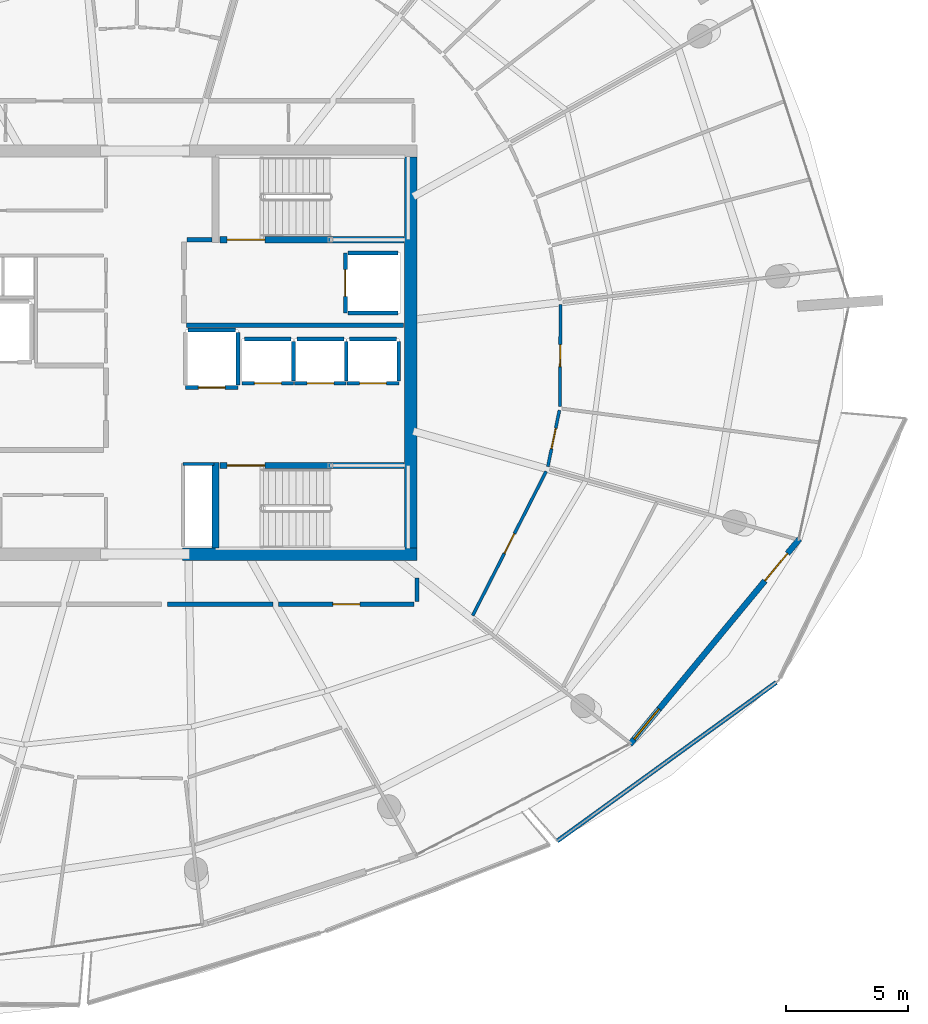
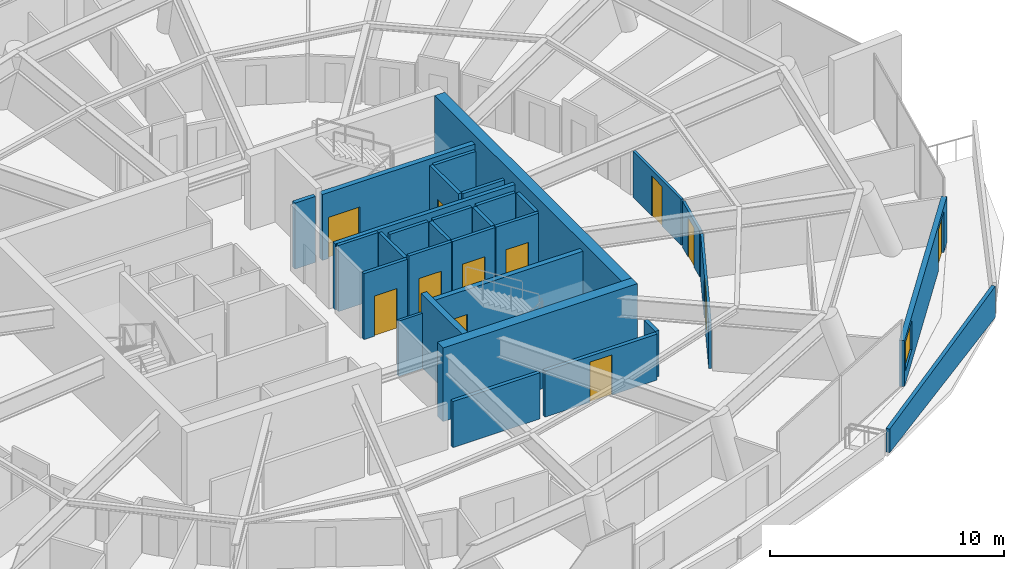
# One storey, part 18 of 27: 31 walls, 12 doors, 1 window, 13 openings.
"""IFC4 building model written with IfcOpenShell, lengths in metres."""

import ifcopenshell
import ifcopenshell.guid

model = None  # the IFC model being written
_history = None  # IfcOwnerHistory: only IFC2X3 demands one
_inside = {}  # id of a spatial element -> (the spatial element, [elements in it])
_under = {}  # id of a project, library or spatial element -> (it, [spatial elements below it])
_declared = {}  # id of a project -> (the project, [libraries it declares])
_typed = {}  # id of a type object -> (the type object, [elements of that type])
_made_of = {}  # id of a material, layer set ... -> (it, [elements and type objects made of it])


def new_model(schema):
    """Start an empty IFC model of exactly this schema.

    Asked for "IFC4X3", IfcOpenShell would pick the latest addendum, in which some entities
    have other attributes; the version numbers below select the first issue.
    IFC2X3 requires an IfcOwnerHistory on every rooted entity: one is made here for all.
    """
    global model, _history
    if schema == "IFC4X3":
        model = ifcopenshell.file(schema_version=(4, 3, 0, 0))
    else:
        model = ifcopenshell.file(schema=schema)
    _inside.clear()
    _under.clear()
    _declared.clear()
    _typed.clear()
    _made_of.clear()
    _history = None
    if model.schema == "IFC2X3":
        org = make("IfcOrganization", Name="unknown")
        user = make(
            "IfcPersonAndOrganization",
            ThePerson=make("IfcPerson", FamilyName="unknown"),
            TheOrganization=org,
        )
        app = make(
            "IfcApplication",
            ApplicationDeveloper=org,
            Version="unknown",
            ApplicationFullName="unknown",
            ApplicationIdentifier="unknown",
        )
        _history = make(
            "IfcOwnerHistory",
            OwningUser=user,
            OwningApplication=app,
            ChangeAction="ADDED",
            CreationDate=0,
        )
    return model


def make(cls, **values):
    """One entity of the class cls with the attributes given. An attribute that is None is left unset."""
    return model.create_entity(
        cls, **{name: value for name, value in values.items() if value is not None}
    )


def rooted(cls, **values):
    """An entity with a GlobalId (a new one), such as an element, a storey or a relation."""
    return make(cls, GlobalId=ifcopenshell.guid.new(), OwnerHistory=_history, **values)


def si_unit(unit_type, name, prefix=None):
    """IfcSIUnit, for example si_unit("LENGTHUNIT", "METRE", prefix="MILLI")."""
    return make("IfcSIUnit", UnitType=unit_type, Prefix=prefix, Name=name)


def assignment(units):
    """IfcUnitAssignment: the units of a project."""
    return None if units is None else make("IfcUnitAssignment", Units=units)


def point(xyz):
    """IfcCartesianPoint."""
    return None if xyz is None else make("IfcCartesianPoint", Coordinates=xyz)


def direction(xyz):
    """IfcDirection."""
    return None if xyz is None else make("IfcDirection", DirectionRatios=xyz)


def frame(location, z_axis=None, x_axis=None):
    """IfcAxis2Placement3D, a coordinate frame: its origin and axes. An axis left out is left unset."""
    return make(
        "IfcAxis2Placement3D",
        Location=point(location),
        Axis=direction(z_axis),
        RefDirection=direction(x_axis),
    )


def frame_2d(location, x_axis=None):
    """IfcAxis2Placement2D, a coordinate frame in the plane: its origin and x axis."""
    return make(
        "IfcAxis2Placement2D", Location=point(location), RefDirection=direction(x_axis)
    )


def origin():
    """The frame at (0, 0, 0) with its axes left unset."""
    return frame((0.0, 0.0, 0.0))


def place(relative_to, where):
    """IfcLocalPlacement: puts the frame where relative to a parent placement (None: the world)."""
    return make(
        "IfcLocalPlacement", PlacementRelTo=relative_to, RelativePlacement=where
    )


def context(
    kind, dimensions, precision=None, world=None, true_north=None, identifier=None
):
    """IfcGeometricRepresentationContext, for example the 3D "Model" context."""
    return make(
        "IfcGeometricRepresentationContext",
        ContextIdentifier=identifier,
        ContextType=kind,
        CoordinateSpaceDimension=dimensions,
        Precision=precision,
        WorldCoordinateSystem=world,
        TrueNorth=true_north,
    )


def subcontext(parent, identifier, kind, view, scale=None):
    """IfcGeometricRepresentationSubContext, for example "Body" below "Model"."""
    return make(
        "IfcGeometricRepresentationSubContext",
        ContextIdentifier=identifier,
        ContextType=kind,
        ParentContext=parent,
        TargetScale=scale,
        TargetView=view,
    )


def project(units=None, contexts=None):
    """IfcProject with its units and contexts."""
    return rooted(
        "IfcProject",
        Name="project",
        RepresentationContexts=contexts,
        UnitsInContext=assignment(units),
    )


def spatial(cls, under=None, at=None, **own):
    """A site, building, storey or space (cls), placed at a placement, below another one or the project."""
    s = rooted(cls, ObjectPlacement=at, **own)
    if under is not None:
        _under.setdefault(under.id(), (under, []))[1].append(s)
    return s


def polyline(points):
    """IfcPolyline through the points."""
    return make("IfcPolyline", Points=[point(p) for p in points])


def profile(cls, at=None, kind="AREA", **sizes):
    """A parametric profile (cls). Its sizes go by their IFC names, for example OverallWidth=200.0."""
    return make(cls, ProfileType=kind, Position=at, **sizes)


def rectangle(**sizes):
    """IfcRectangleProfileDef."""
    return profile("IfcRectangleProfileDef", **sizes)


def outline(outer, holes=None, kind="AREA"):
    """IfcArbitraryClosedProfileDef: a profile drawn as a closed curve; with holes, ...WithVoids."""
    if holes is None:
        return make("IfcArbitraryClosedProfileDef", ProfileType=kind, OuterCurve=outer)
    return make(
        "IfcArbitraryProfileDefWithVoids",
        ProfileType=kind,
        OuterCurve=outer,
        InnerCurves=holes,
    )


def extrude(swept, where, along, depth):
    """IfcExtrudedAreaSolid: the profile swept, set in the frame where, extruded along a direction by depth."""
    return make(
        "IfcExtrudedAreaSolid",
        SweptArea=swept,
        Position=where,
        ExtrudedDirection=direction(along),
        Depth=depth,
    )


def shape(context_of_items, identifier, shape_type, items):
    """IfcShapeRepresentation: the items that make up one representation, for example the "Body"."""
    return make(
        "IfcShapeRepresentation",
        ContextOfItems=context_of_items,
        RepresentationIdentifier=identifier,
        RepresentationType=shape_type,
        Items=items,
    )


def material(Name=None, Category=None):
    """IfcMaterial."""
    return make("IfcMaterial", Name=Name, Category=Category)


def layer(
    of_material, thickness, ventilated=None, Name=None, Category=None, Priority=None
):
    """IfcMaterialLayer: one layer of a wall or slab, of a material (None: an air gap)."""
    return make(
        "IfcMaterialLayer",
        Material=of_material,
        LayerThickness=thickness,
        IsVentilated=ventilated,
        Name=Name,
        Category=Category,
        Priority=Priority,
    )


def layer_set(layers, Name=None):
    """IfcMaterialLayerSet."""
    return make("IfcMaterialLayerSet", MaterialLayers=layers, LayerSetName=Name)


def made_of(thing, what):
    """Note that an element or type object is made of a material, layer set ...; save() writes the relation."""
    if what is not None:
        _made_of.setdefault(what.id(), (what, []))[1].append(thing)
    return thing


def type_object(cls, material=None, **own):
    """A type object (cls), such as IfcWallType, which elements share."""
    return made_of(rooted(cls, **own), material)


def element(
    cls,
    number,
    at=None,
    inside=None,
    cuts=None,
    type_object=None,
    material=None,
    context=None,
    identifier="Body",
    shape_type=None,
    held_by="IfcProductDefinitionShape",
    body=None,
    shapes=None,
    **own,
):
    """One element of the class cls, such as IfcWall. Its Tag is "e" and its number.

    at: its placement. inside: the storey or other place that contains it. cuts: it is an
    opening in that element (IfcRelVoidsElement). A single representation is given by context,
    identifier, shape_type and body (its items); several are given by shapes. held_by: the class
    of the entity that holds the representations. save() writes the other relations.
    """
    e = rooted(cls, Tag="e%d" % number, ObjectPlacement=at, **own)
    if body is not None:
        shapes = [shape(context, identifier, shape_type, body)]
    if shapes is not None:
        e.Representation = make(held_by, Representations=shapes)
    if inside is not None:
        _inside.setdefault(inside.id(), (inside, []))[1].append(e)
    if cuts is not None:
        rooted(
            "IfcRelVoidsElement", RelatingBuildingElement=cuts, RelatedOpeningElement=e
        )
    if type_object is not None:
        _typed.setdefault(type_object.id(), (type_object, []))[1].append(e)
    return made_of(e, material)


def fill(opening, filler):
    """IfcRelFillsElement: the door or window that sits in an opening."""
    return rooted(
        "IfcRelFillsElement",
        RelatingOpeningElement=opening,
        RelatedBuildingElement=filler,
    )


def aggregate(whole, parts):
    """IfcRelAggregates: a whole, such as a stair, and the parts it consists of."""
    return rooted("IfcRelAggregates", RelatingObject=whole, RelatedObjects=parts)


def save(model, path):
    """Write the relations noted so far, then the file.

    IfcRelAggregates (storeys below a building ...), IfcRelContainedInSpatialStructure (elements
    in a storey), IfcRelDefinesByType, IfcRelAssociatesMaterial and IfcRelDeclares: one each for
    every whole, place, type object, material and project.
    """
    for whole, parts in _under.values():
        aggregate(whole, parts)
    for where, things in _inside.values():
        rooted(
            "IfcRelContainedInSpatialStructure",
            RelatedElements=things,
            RelatingStructure=where,
        )
    for kind, things in _typed.values():
        rooted("IfcRelDefinesByType", RelatedObjects=things, RelatingType=kind)
    for what, things in _made_of.values():
        rooted("IfcRelAssociatesMaterial", RelatedObjects=things, RelatingMaterial=what)
    for by, libraries in _declared.values():
        rooted("IfcRelDeclares", RelatingContext=by, RelatedDefinitions=libraries)
    model.write(path)


model = new_model("IFC4")

# Units and contexts
model_context = context("Model", 3, precision=1e-05, world=origin(), true_north=direction((0.0, 1.0)))
body_context = subcontext(model_context, "Body", "Model", "MODEL_VIEW")
ifc_project = project(units=[si_unit("LENGTHUNIT", "METRE"), si_unit("AREAUNIT", "SQUARE_METRE"), si_unit("VOLUMEUNIT", "CUBIC_METRE"), si_unit("PLANEANGLEUNIT", "RADIAN"), si_unit("MASSUNIT", "GRAM", prefix="KILO")], contexts=[model_context])

# Site, building, storey
site_placement = place(None, origin())
site = spatial("IfcSite", under=ifc_project, at=site_placement, CompositionType="ELEMENT")
building_placement = place(site_placement, origin())
building = spatial("IfcBuilding", under=site, at=building_placement, Name="Kazma Halo Residences", CompositionType="ELEMENT")
storey_placement = place(building_placement, frame((0.0, 0.0, 306.0)))
storey = spatial("IfcBuildingStorey", under=building, at=storey_placement, Name="L77", CompositionType="ELEMENT", Elevation=306.0)

# Walls
ifc_material_1 = material(Name="White Concrete C50/60 Balustrade", Category="concrete")
ifc_layer_1 = layer(ifc_material_1, 0.179931640625)
ifc_layer_set_1 = layer_set([ifc_layer_1], Name="White Concrete C50/60 Balustrade")
wall_type_1 = type_object("IfcWallType", Name="WL-BAL-WAVE-180", PredefinedType="PARAPET", material=ifc_layer_set_1)
wall_1_placement = place(storey_placement, frame((65.286376953125, 22.0087890625, 0.0), z_axis=(0.0, 0.0, 1.0), x_axis=(0.810034567594, 0.586382127374, 0.0)))
element("IfcWall", 1, at=wall_1_placement, inside=storey, type_object=wall_type_1, Name="L77 white wave balustrade wall SE.1", PredefinedType="PARAPET", context=body_context, shape_type="SweptSolid", body=[
    extrude(outline(polyline([(0.0, 0.0), (11.0732421875, 0.0), (11.0732421875, 1.632080078125), (5.53662109375, 1.41796875), (0.0, 1.23291015625), (0.0, 0.0)])), frame((0.0, 0.08984375, 0.0), z_axis=(0.0, -1.0, 0.0), x_axis=(1.0, 0.0, 0.0)), (0.0, 0.0, 1.0), 0.179931640625),
])
ifc_material_2 = material(Name="Concrete C60/75", Category="concrete")
ifc_layer_2 = layer(ifc_material_2, 0.5)
ifc_layer_set_2 = layer_set([ifc_layer_2], Name="Concrete C60/75")
wall_type_2 = type_object("IfcWallType", Name="WL-CORE-500", PredefinedType="SHEAR", material=ifc_layer_set_2)
wall_2_placement = place(storey_placement, frame((49.949951171875, 33.75, 0.0), z_axis=(0.0, 0.0, 1.0), x_axis=(1.0, 0.0, 0.0)))
element("IfcWall", 2, at=wall_2_placement, inside=storey, type_object=wall_type_2, Name="L77 central core shear wall SE", PredefinedType="SHEAR", context=body_context, shape_type="SweptSolid", body=[
    extrude(rectangle(XDim=9.60009765625, YDim=0.5, at=frame_2d((4.800048828125, 0.0))), origin(), (0.0, 0.0, 1.0), 3.85009765625),
])
wall_3_placement = place(storey_placement, frame((59.300048828125, 34.0, 0.0), z_axis=(0.0, 0.0, 1.0), x_axis=(0.0, 1.0, 0.0)))
element("IfcWall", 3, at=wall_3_placement, inside=storey, type_object=wall_type_2, Name="L77 central core shear wall E", PredefinedType="SHEAR", context=body_context, shape_type="SweptSolid", body=[
    extrude(rectangle(XDim=16.0, YDim=0.5, at=frame_2d((8.0, 0.0))), origin(), (0.0, 0.0, 1.0), 3.85009765625),
])
ifc_layer_3 = layer(ifc_material_2, 0.280029296875)
ifc_layer_set_3 = layer_set([ifc_layer_3], Name="Concrete C60/75")
wall_type_3 = type_object("IfcWallType", Name="WL-CORE-ST-280", PredefinedType="SHEAR", material=ifc_layer_set_3)
wall_4_placement = place(storey_placement, frame((51.31005859375, 34.0, 0.0), z_axis=(0.0, 0.0, 1.0), x_axis=(0.0, 1.0, 0.0)))
element("IfcWall", 4, at=wall_4_placement, inside=storey, type_object=wall_type_3, Name="L77 stairwell bearing wall ST03-W", PredefinedType="SHEAR", context=body_context, shape_type="SweptSolid", body=[
    extrude(rectangle(XDim=3.5, YDim=0.280029296875, at=frame_2d((1.75, 0.0))), origin(), (0.0, 0.0, 1.0), 3.85009765625),
])

# Wall, opening, door
ifc_material_3 = material(Name="Acoustic Twin-Stud Gypsum")
ifc_layer_4 = layer(ifc_material_3, 0.179931640625)
ifc_layer_set_4 = layer_set([ifc_layer_4], Name="Acoustic Twin-Stud Gypsum")
wall_type_4 = type_object("IfcWallType", Name="WL-DEM-180", PredefinedType="PARTITIONING", material=ifc_layer_set_4)
wall_5_placement = place(storey_placement, frame((53.88818359375, 31.699951171875, 0.0), z_axis=(0.0, 0.0, 1.0), x_axis=(1.0, 0.0, 0.0)))
wall_5 = element("IfcWall", 5, at=wall_5_placement, inside=storey, type_object=wall_type_4, Name="L77 Apartment 2 entrance corridor wall", PredefinedType="PARTITIONING", context=body_context, shape_type="SweptSolid", body=[
    extrude(rectangle(XDim=5.541748046875, YDim=0.179931640625, at=frame_2d((2.77099609375, 0.0))), origin(), (0.0, 0.0, 1.0), 2.406982421875),
])
opening_1_placement = place(wall_5_placement, frame((2.220703125, 0.0, 0.0)))
opening_1 = element("IfcOpeningElement", 6, at=opening_1_placement, cuts=wall_5, Name="Opening DA-1100", PredefinedType="OPENING", context=body_context, shape_type="SweptSolid", body=[
    extrude(rectangle(XDim=1.10009765625, YDim=2.10009765625, at=frame_2d((0.550048828125, 1.050048828125))), frame((0.0, 0.099853515625, 0.0), z_axis=(0.0, -1.0, 0.0), x_axis=(1.0, 0.0, 0.0)), (0.0, 0.0, 1.0), 0.199951171875),
])
ifc_material_4 = material(Name="Acoustic Walnut Fire Leaf")
door_type_1 = type_object("IfcDoorType", Name="DR-FD60-1100", OperationType="NOTDEFINED", PredefinedType="DOOR", material=ifc_material_4)
door_1_placement = place(opening_1_placement, origin())
door_1 = element("IfcDoor", 7, at=door_1_placement, inside=storey, type_object=door_type_1, Name="L77 Apartment 2 entrance fire door", OperationType="SINGLE_SWING_RIGHT", OverallHeight=2.10009765625, OverallWidth=1.10009765625, PredefinedType="DOOR", context=body_context, shape_type="SweptSolid", body=[
    extrude(rectangle(XDim=1.10009765625, YDim=2.10009765625, at=frame_2d((0.550048828125, 1.050048828125))), frame((0.0, 0.02490234375, 0.0), z_axis=(0.0, -1.0, 0.0), x_axis=(1.0, 0.0, 0.0)), (0.0, 0.0, 1.0), 0.050048828125),
])
fill(opening_1, door_1)

# Walls
wall_6_placement = place(storey_placement, frame((59.550048828125, 31.820068359375, 0.0), z_axis=(0.0, 0.0, 1.0), x_axis=(0.0, 1.0, 0.0)))
element("IfcWall", 8, at=wall_6_placement, inside=storey, type_object=wall_type_4, Name="L77 Apartment 2 entrance corridor wall", PredefinedType="PARTITIONING", context=body_context, shape_type="SweptSolid", body=[
    extrude(rectangle(XDim=0.95458984375, YDim=0.179931640625, at=frame_2d((0.477294921875, 0.0))), origin(), (0.0, 0.0, 1.0), 2.406982421875),
])
wall_7_placement = place(storey_placement, frame((49.339111328125, 31.699951171875, 0.0), z_axis=(0.0, 0.0, 1.0), x_axis=(1.0, 0.0, 0.0)))
element("IfcWall", 9, at=wall_7_placement, inside=storey, type_object=wall_type_4, Name="L77 Apartment 2 inner wall 11", PredefinedType="PARTITIONING", context=body_context, shape_type="SweptSolid", body=[
    extrude(rectangle(XDim=4.30908203125, YDim=0.179931640625, at=frame_2d((2.154541015625, 0.0))), origin(), (0.0, 0.0, 1.0), 2.406982421875),
])

# Wall, openings, door, window
ifc_material_5 = material(Name="Insulated Pale-Metal Composite Wall")
ifc_layer_5 = layer(ifc_material_5, 0.239990234375)
ifc_layer_set_5 = layer_set([ifc_layer_5], Name="Insulated Pale-Metal Composite Wall")
wall_type_5 = type_object("IfcWallType", Name="WL-EXT-HOST-240", PredefinedType="SOLIDWALL", material=ifc_layer_set_5)
wall_8_placement = place(storey_placement, frame((68.260498046875, 25.964111328125, 0.0), z_axis=(0.0, 0.0, 1.0), x_axis=(0.636725835274, 0.771090274024, 0.0)))
wall_8 = element("IfcWall", 10, at=wall_8_placement, inside=storey, type_object=wall_type_5, Name="L77 exterior terrace-access wall B14", PredefinedType="SOLIDWALL", context=body_context, shape_type="SweptSolid", body=[
    extrude(rectangle(XDim=10.907470703125, YDim=0.239990234375, at=frame_2d((5.45361328125, 0.0))), origin(), (0.0, 0.0, 1.0), 2.39990234375),
])
opening_2_placement = place(wall_8_placement, frame((8.687255859375, 0.0, 0.0)))
opening_2 = element("IfcOpeningElement", 11, at=opening_2_placement, cuts=wall_8, Name="Opening DTR-1600", PredefinedType="OPENING", context=body_context, shape_type="SweptSolid", body=[
    extrude(rectangle(XDim=1.449951171875, YDim=2.14990234375, at=frame_2d((0.72509765625, 1.074951171875))), frame((0.0, 0.1298828125, 0.0), z_axis=(0.0, -1.0, 0.0), x_axis=(1.0, 0.0, 0.0)), (0.0, 0.0, 1.0), 0.260009765625),
])
opening_3_placement = place(wall_8_placement, frame((0.280029296875, 0.0, 0.64990234375)))
opening_3 = element("IfcOpeningElement", 12, at=opening_3_placement, cuts=wall_8, Name="Opening W-1800", PredefinedType="OPENING", context=body_context, shape_type="SweptSolid", body=[
    extrude(rectangle(XDim=1.60009765625, YDim=1.5, at=frame_2d((0.800048828125, 0.75))), frame((0.0, 0.1298828125, 0.0), z_axis=(0.0, -1.0, 0.0), x_axis=(1.0, 0.0, 0.0)), (0.0, 0.0, 1.0), 0.260009765625),
])
ifc_material_6 = material(Name="Aluminium AW-6063 T6 Double-Glazed Terrace Door", Category="aluminium")
door_type_2 = type_object("IfcDoorType", Name="DR-EXT-TERR-1600", OperationType="NOTDEFINED", PredefinedType="DOOR", material=ifc_material_6)
door_2_placement = place(opening_2_placement, origin())
door_2 = element("IfcDoor", 13, at=door_2_placement, inside=storey, type_object=door_type_2, Name="L77 B14 balcony terrace door", OperationType="DOUBLE_DOOR_SLIDING", OverallHeight=2.14990234375, OverallWidth=1.449951171875, PredefinedType="DOOR", context=body_context, shape_type="SweptSolid", body=[
    extrude(rectangle(XDim=1.449951171875, YDim=2.14990234375, at=frame_2d((0.72509765625, 1.074951171875))), frame((0.0, 0.02490234375, 0.0), z_axis=(0.0, -1.0, 0.0), x_axis=(1.0, 0.0, 0.0)), (0.0, 0.0, 1.0), 0.050048828125),
])
fill(opening_2, door_2)
ifc_material_7 = material(Name="Clear Triple-Silver Low-E Glass in Aluminium AW-6063 T6 Frame", Category="aluminium")
window_type = type_object("IfcWindowType", Name="WIN-RES-1800", PartitioningType="DOUBLE_PANEL_VERTICAL", PredefinedType="WINDOW", material=ifc_material_7)
window_placement = place(opening_3_placement, origin())
window = element("IfcWindow", 14, at=window_placement, inside=storey, type_object=window_type, Name="L77 B14 apartment window", OverallHeight=1.5, OverallWidth=1.60009765625, PartitioningType="SINGLE_PANEL", PredefinedType="WINDOW", context=body_context, shape_type="SweptSolid", body=[
    extrude(rectangle(XDim=1.60009765625, YDim=1.5, at=frame_2d((0.800048828125, 0.75))), frame((0.0, 0.030029296875, 0.0), z_axis=(0.0, -1.0, 0.0), x_axis=(1.0, 0.0, 0.0)), (0.0, 0.0, 1.0), 0.06005859375),
])
fill(opening_3, window)

# Wall, opening, door
ifc_material_8 = material(Name="Fire-Rated Blockwork Masonry", Category="masonry")
ifc_layer_6 = layer(ifc_material_8, 0.199951171875)
ifc_layer_set_6 = layer_set([ifc_layer_6], Name="Fire-Rated Blockwork Masonry")
wall_type_6 = type_object("IfcWallType", Name="WL-FLB-200", PredefinedType="PARTITIONING", material=ifc_layer_set_6)
wall_9_placement = place(storey_placement, frame((54.5048828125, 40.7451171875, 0.0), z_axis=(0.0, 0.0, 1.0), x_axis=(-1.0, 0.0, 0.0)))
wall_9 = element("IfcWall", 15, at=wall_9_placement, inside=storey, type_object=wall_type_6, Name="L77 lift shaft PH-01 front wall", PredefinedType="PARTITIONING", context=body_context, shape_type="SweptSolid", body=[
    extrude(rectangle(XDim=2.10986328125, YDim=0.159912109375, at=frame_2d((1.054931640625, 0.0))), origin(), (0.0, 0.0, 1.0), 3.449951171875),
])
opening_4_placement = place(wall_9_placement, frame((0.5048828125, 0.0, 0.0)))
opening_4 = element("IfcOpeningElement", 16, at=opening_4_placement, cuts=wall_9, Name="Opening LD-PH-01", PredefinedType="OPENING", context=body_context, shape_type="SweptSolid", body=[
    extrude(rectangle(XDim=1.10009765625, YDim=2.10009765625, at=frame_2d((0.550048828125, 1.050048828125))), frame((0.0, 0.08984375, 0.0), z_axis=(0.0, -1.0, 0.0), x_axis=(1.0, 0.0, 0.0)), (0.0, 0.0, 1.0), 0.179931640625),
])
ifc_material_9 = material(Name="Stainless Steel Fire-Rated", Category="steel")
door_type_3 = type_object("IfcDoorType", Name="DR-LIFT-SLD-1100", OperationType="DOUBLE_DOOR_SLIDING", PredefinedType="DOOR", material=ifc_material_9)
door_3_placement = place(opening_4_placement, origin())
door_3 = element("IfcDoor", 17, at=door_3_placement, inside=storey, type_object=door_type_3, Name="L77 lift PH-01 sliding landing door", OperationType="DOUBLE_DOOR_SLIDING", OverallHeight=2.10009765625, OverallWidth=1.10009765625, PredefinedType="DOOR", context=body_context, shape_type="SweptSolid", body=[
    extrude(rectangle(XDim=1.10009765625, YDim=2.10009765625, at=frame_2d((0.550048828125, 1.050048828125))), frame((0.0, 0.02490234375, 0.0), z_axis=(0.0, -1.0, 0.0), x_axis=(1.0, 0.0, 0.0)), (0.0, 0.0, 1.0), 0.050048828125),
])
fill(opening_4, door_3)

# Walls
wall_10_placement = place(storey_placement, frame((54.5048828125, 40.844970703125, 0.0), z_axis=(0.0, 0.0, 1.0), x_axis=(0.0, 1.0, 0.0)))
element("IfcWall", 18, at=wall_10_placement, inside=storey, type_object=wall_type_6, Name="L77 lift shaft PH-01 side wall E", PredefinedType="PARTITIONING", context=body_context, shape_type="SweptSolid", body=[
    extrude(rectangle(XDim=1.610107421875, YDim=0.159912109375, at=frame_2d((0.80517578125, 0.0))), origin(), (0.0, 0.0, 1.0), 3.449951171875),
])
wall_11_placement = place(storey_placement, frame((52.4951171875, 42.554931640625, 0.0), z_axis=(0.0, 0.0, 1.0), x_axis=(1.0, 0.0, 0.0)))
element("IfcWall", 19, at=wall_11_placement, inside=storey, type_object=wall_type_6, Name="L77 lift shaft PH-01 side wall N", PredefinedType="PARTITIONING", context=body_context, shape_type="SweptSolid", body=[
    extrude(rectangle(XDim=1.909912109375, YDim=0.159912109375, at=frame_2d((0.955078125, 0.0))), origin(), (0.0, 0.0, 1.0), 3.449951171875),
])

# Wall, opening, door
wall_12_placement = place(storey_placement, frame((56.655029296875, 40.7451171875, 0.0), z_axis=(0.0, 0.0, 1.0), x_axis=(-1.0, 0.0, 0.0)))
wall_12 = element("IfcWall", 20, at=wall_12_placement, inside=storey, type_object=wall_type_6, Name="L77 lift shaft PH-02 front wall", PredefinedType="PARTITIONING", context=body_context, shape_type="SweptSolid", body=[
    extrude(rectangle(XDim=2.110107421875, YDim=0.159912109375, at=frame_2d((1.05517578125, 0.0))), origin(), (0.0, 0.0, 1.0), 3.449951171875),
])
opening_5_placement = place(wall_12_placement, frame((0.5048828125, 0.0, 0.0)))
opening_5 = element("IfcOpeningElement", 21, at=opening_5_placement, cuts=wall_12, Name="Opening LD-PH-02", PredefinedType="OPENING", context=body_context, shape_type="SweptSolid", body=[
    extrude(rectangle(XDim=1.10009765625, YDim=2.10009765625, at=frame_2d((0.550048828125, 1.050048828125))), frame((0.0, 0.08984375, 0.0), z_axis=(0.0, -1.0, 0.0), x_axis=(1.0, 0.0, 0.0)), (0.0, 0.0, 1.0), 0.179931640625),
])
door_4_placement = place(opening_5_placement, origin())
door_4 = element("IfcDoor", 22, at=door_4_placement, inside=storey, type_object=door_type_3, Name="L77 lift PH-02 sliding landing door", OperationType="DOUBLE_DOOR_SLIDING", OverallHeight=2.10009765625, OverallWidth=1.10009765625, PredefinedType="DOOR", context=body_context, shape_type="SweptSolid", body=[
    extrude(rectangle(XDim=1.10009765625, YDim=2.10009765625, at=frame_2d((0.550048828125, 1.050048828125))), frame((0.0, 0.02490234375, 0.0), z_axis=(0.0, -1.0, 0.0), x_axis=(1.0, 0.0, 0.0)), (0.0, 0.0, 1.0), 0.050048828125),
])
fill(opening_5, door_4)

# Walls
wall_13_placement = place(storey_placement, frame((56.655029296875, 40.844970703125, 0.0), z_axis=(0.0, 0.0, 1.0), x_axis=(0.0, 1.0, 0.0)))
element("IfcWall", 23, at=wall_13_placement, inside=storey, type_object=wall_type_6, Name="L77 lift shaft PH-02 side wall E", PredefinedType="PARTITIONING", context=body_context, shape_type="SweptSolid", body=[
    extrude(rectangle(XDim=1.610107421875, YDim=0.159912109375, at=frame_2d((0.80517578125, 0.0))), origin(), (0.0, 0.0, 1.0), 3.449951171875),
])
wall_14_placement = place(storey_placement, frame((54.64501953125, 42.554931640625, 0.0), z_axis=(0.0, 0.0, 1.0), x_axis=(1.0, 0.0, 0.0)))
element("IfcWall", 24, at=wall_14_placement, inside=storey, type_object=wall_type_6, Name="L77 lift shaft PH-02 side wall N", PredefinedType="PARTITIONING", context=body_context, shape_type="SweptSolid", body=[
    extrude(rectangle(XDim=1.909912109375, YDim=0.159912109375, at=frame_2d((0.955078125, 0.0))), origin(), (0.0, 0.0, 1.0), 3.449951171875),
])

# Wall, opening, door
wall_15_placement = place(storey_placement, frame((58.804931640625, 40.7451171875, 0.0), z_axis=(0.0, 0.0, 1.0), x_axis=(-1.0, 0.0, 0.0)))
wall_15 = element("IfcWall", 25, at=wall_15_placement, inside=storey, type_object=wall_type_6, Name="L77 lift shaft PH-03 front wall", PredefinedType="PARTITIONING", context=body_context, shape_type="SweptSolid", body=[
    extrude(rectangle(XDim=2.10986328125, YDim=0.159912109375, at=frame_2d((1.054931640625, 0.0))), origin(), (0.0, 0.0, 1.0), 3.449951171875),
])
opening_6_placement = place(wall_15_placement, frame((0.5048828125, 0.0, 0.0)))
opening_6 = element("IfcOpeningElement", 26, at=opening_6_placement, cuts=wall_15, Name="Opening LD-PH-03", PredefinedType="OPENING", context=body_context, shape_type="SweptSolid", body=[
    extrude(rectangle(XDim=1.10009765625, YDim=2.10009765625, at=frame_2d((0.550048828125, 1.050048828125))), frame((0.0, 0.08984375, 0.0), z_axis=(0.0, -1.0, 0.0), x_axis=(1.0, 0.0, 0.0)), (0.0, 0.0, 1.0), 0.179931640625),
])
door_5_placement = place(opening_6_placement, origin())
door_5 = element("IfcDoor", 27, at=door_5_placement, inside=storey, type_object=door_type_3, Name="L77 lift PH-03 sliding landing door", OperationType="DOUBLE_DOOR_SLIDING", OverallHeight=2.10009765625, OverallWidth=1.10009765625, PredefinedType="DOOR", context=body_context, shape_type="SweptSolid", body=[
    extrude(rectangle(XDim=1.10009765625, YDim=2.10009765625, at=frame_2d((0.550048828125, 1.050048828125))), frame((0.0, 0.02490234375, 0.0), z_axis=(0.0, -1.0, 0.0), x_axis=(1.0, 0.0, 0.0)), (0.0, 0.0, 1.0), 0.050048828125),
])
fill(opening_6, door_5)

# Walls
wall_16_placement = place(storey_placement, frame((58.804931640625, 40.844970703125, 0.0), z_axis=(0.0, 0.0, 1.0), x_axis=(0.0, 1.0, 0.0)))
element("IfcWall", 28, at=wall_16_placement, inside=storey, type_object=wall_type_6, Name="L77 lift shaft PH-03 side wall E", PredefinedType="PARTITIONING", context=body_context, shape_type="SweptSolid", body=[
    extrude(rectangle(XDim=1.610107421875, YDim=0.159912109375, at=frame_2d((0.80517578125, 0.0))), origin(), (0.0, 0.0, 1.0), 3.449951171875),
])
wall_17_placement = place(storey_placement, frame((56.794921875, 42.554931640625, 0.0), z_axis=(0.0, 0.0, 1.0), x_axis=(1.0, 0.0, 0.0)))
element("IfcWall", 29, at=wall_17_placement, inside=storey, type_object=wall_type_6, Name="L77 lift shaft PH-03 side wall N", PredefinedType="PARTITIONING", context=body_context, shape_type="SweptSolid", body=[
    extrude(rectangle(XDim=1.91015625, YDim=0.159912109375, at=frame_2d((0.955078125, 0.0))), origin(), (0.0, 0.0, 1.0), 3.449951171875),
])

# Wall, opening, door
wall_18_placement = place(storey_placement, frame((56.6201171875, 46.080078125, 0.0), z_axis=(0.0, 0.0, 1.0), x_axis=(0.0, -1.0, 0.0)))
wall_18 = element("IfcWall", 30, at=wall_18_placement, inside=storey, type_object=wall_type_6, Name="L77 lift shaft FL-02 front wall", PredefinedType="PARTITIONING", context=body_context, shape_type="SweptSolid", body=[
    extrude(rectangle(XDim=2.4599609375, YDim=0.159912109375, at=frame_2d((1.22998046875, 0.0))), origin(), (0.0, 0.0, 1.0), 3.449951171875),
])
opening_7_placement = place(wall_18_placement, frame((0.679931640625, 0.0, 0.0)))
opening_7 = element("IfcOpeningElement", 31, at=opening_7_placement, cuts=wall_18, Name="Opening LD-FL-02", PredefinedType="OPENING", context=body_context, shape_type="SweptSolid", body=[
    extrude(rectangle(XDim=1.10009765625, YDim=2.10009765625, at=frame_2d((0.550048828125, 1.050048828125))), frame((0.0, 0.08984375, 0.0), z_axis=(0.0, -1.0, 0.0), x_axis=(1.0, 0.0, 0.0)), (0.0, 0.0, 1.0), 0.179931640625),
])
door_6_placement = place(opening_7_placement, origin())
door_6 = element("IfcDoor", 32, at=door_6_placement, inside=storey, type_object=door_type_3, Name="L77 lift FL-02 sliding landing door", OperationType="DOUBLE_DOOR_SLIDING", OverallHeight=2.10009765625, OverallWidth=1.10009765625, PredefinedType="DOOR", context=body_context, shape_type="SweptSolid", body=[
    extrude(rectangle(XDim=1.10009765625, YDim=2.10009765625, at=frame_2d((0.550048828125, 1.050048828125))), frame((0.0, 0.02490234375, 0.0), z_axis=(0.0, -1.0, 0.0), x_axis=(1.0, 0.0, 0.0)), (0.0, 0.0, 1.0), 0.050048828125),
])
fill(opening_7, door_6)

# Walls
for number, where, z_axis, x_axis, name in (
    (33, (56.719970703125, 46.080078125, 0.0), (0.0, 0.0, 1.0), (1.0, 0.0, 0.0), "L77 lift shaft FL-02 side wall N"),
    (34, (56.719970703125, 43.6201171875, 0.0), (0.0, 0.0, 1.0), (1.0, 0.0, 0.0), "L77 lift shaft FL-02 side wall S"),
):
    element("IfcWall", number, at=place(storey_placement, frame(where, z_axis=z_axis, x_axis=x_axis)), inside=storey, type_object=wall_type_6, Name=name, PredefinedType="PARTITIONING", context=body_context, shape_type="SweptSolid", body=[
        extrude(rectangle(XDim=2.06005859375, YDim=0.159912109375, at=frame_2d((1.030029296875, 0.0))), origin(), (0.0, 0.0, 1.0), 3.449951171875),
    ])

# Wall, opening, door
wall_19_placement = place(storey_placement, frame((52.22998046875, 40.570068359375, 0.0), z_axis=(0.0, 0.0, 1.0), x_axis=(-1.0, 0.0, 0.0)))
wall_19 = element("IfcWall", 35, at=wall_19_placement, inside=storey, type_object=wall_type_6, Name="L77 lift shaft SV-01 front wall", PredefinedType="PARTITIONING", context=body_context, shape_type="SweptSolid", body=[
    extrude(rectangle(XDim=2.159912109375, YDim=0.159912109375, at=frame_2d((1.080078125, 0.0))), origin(), (0.0, 0.0, 1.0), 3.449951171875),
])
opening_8_placement = place(wall_19_placement, frame((0.530029296875, 0.0, 0.0)))
opening_8 = element("IfcOpeningElement", 36, at=opening_8_placement, cuts=wall_19, Name="Opening LD-SV-01", PredefinedType="OPENING", context=body_context, shape_type="SweptSolid", body=[
    extrude(rectangle(XDim=1.10009765625, YDim=2.10009765625, at=frame_2d((0.550048828125, 1.050048828125))), frame((0.0, 0.08984375, 0.0), z_axis=(0.0, -1.0, 0.0), x_axis=(1.0, 0.0, 0.0)), (0.0, 0.0, 1.0), 0.179931640625),
])
door_7_placement = place(opening_8_placement, origin())
door_7 = element("IfcDoor", 37, at=door_7_placement, inside=storey, type_object=door_type_3, Name="L77 lift SV-01 sliding landing door", OperationType="DOUBLE_DOOR_SLIDING", OverallHeight=2.10009765625, OverallWidth=1.10009765625, PredefinedType="DOOR", context=body_context, shape_type="SweptSolid", body=[
    extrude(rectangle(XDim=1.10009765625, YDim=2.10009765625, at=frame_2d((0.550048828125, 1.050048828125))), frame((0.0, 0.02490234375, 0.0), z_axis=(0.0, -1.0, 0.0), x_axis=(1.0, 0.0, 0.0)), (0.0, 0.0, 1.0), 0.050048828125),
])
fill(opening_8, door_7)

# Walls
wall_20_placement = place(storey_placement, frame((52.22998046875, 40.669921875, 0.0), z_axis=(0.0, 0.0, 1.0), x_axis=(0.0, 1.0, 0.0)))
element("IfcWall", 38, at=wall_20_placement, inside=storey, type_object=wall_type_6, Name="L77 lift shaft SV-01 side wall E", PredefinedType="PARTITIONING", context=body_context, shape_type="SweptSolid", body=[
    extrude(rectangle(XDim=2.16015625, YDim=0.159912109375, at=frame_2d((1.080078125, 0.0))), origin(), (0.0, 0.0, 1.0), 3.449951171875),
])
wall_21_placement = place(storey_placement, frame((50.169921875, 42.929931640625, 0.0), z_axis=(0.0, 0.0, 1.0), x_axis=(1.0, 0.0, 0.0)))
element("IfcWall", 39, at=wall_21_placement, inside=storey, type_object=wall_type_6, Name="L77 lift shaft SV-01 side wall N", PredefinedType="PARTITIONING", context=body_context, shape_type="SweptSolid", body=[
    extrude(rectangle(XDim=1.9599609375, YDim=0.159912109375, at=frame_2d((0.97998046875, 0.0))), origin(), (0.0, 0.0, 1.0), 3.449951171875),
])
wall_22_placement = place(storey_placement, frame((50.1201171875, 43.1201171875, 0.0), z_axis=(0.0, 0.0, 1.0), x_axis=(1.0, 0.0, 0.0)))
element("IfcWall", 40, at=wall_22_placement, inside=storey, type_object=wall_type_6, Name="L77 east firefighting lobby south smoke wall", PredefinedType="PARTITIONING", context=body_context, shape_type="SweptSolid", body=[
    extrude(rectangle(XDim=8.8798828125, YDim=0.199951171875, at=frame_2d((4.43994140625, 0.0))), origin(), (0.0, 0.0, 1.0), 3.449951171875),
])
wall_23_placement = place(storey_placement, frame((50.139892578125, 46.6201171875, 0.0), z_axis=(0.0, 0.0, 1.0), x_axis=(1.0, 0.0, 0.0)))
element("IfcWall", 41, at=wall_23_placement, inside=storey, type_object=wall_type_6, Name="L77 east firefighting lobby north closure wall", PredefinedType="PARTITIONING", context=body_context, shape_type="SweptSolid", body=[
    extrude(rectangle(XDim=1.02001953125, YDim=0.199951171875, at=frame_2d((0.510009765625, 0.0))), origin(), (0.0, 0.0, 1.0), 3.449951171875),
])
ifc_material_10 = material(Name="Gypsum Plasterboard Partition")
ifc_layer_7 = layer(ifc_material_10, 0.125)
ifc_layer_set_7 = layer_set([ifc_layer_7], Name="Gypsum Plasterboard Partition")
wall_type_7 = type_object("IfcWallType", Name="WL-PART-125", PredefinedType="PARTITIONING", material=ifc_layer_set_7)
wall_24_placement = place(storey_placement, frame((49.97998046875, 37.43994140625, 0.0), z_axis=(0.0, 0.0, 1.0), x_axis=(1.0, 0.0, 0.0)))
element("IfcWall", 42, at=wall_24_placement, inside=storey, type_object=wall_type_7, Name="L77 standpipe riser north wall", PredefinedType="PARTITIONING", context=body_context, shape_type="SweptSolid", body=[
    extrude(rectangle(XDim=1.260009765625, YDim=0.125, at=frame_2d((0.6298828125, 0.0))), origin(), (0.0, 0.0, 1.0), 2.889892578125),
])

# Wall, opening, door
wall_25_placement = place(storey_placement, frame((61.8291015625, 31.2353515625, 0.0), z_axis=(0.0, 0.0, 1.0), x_axis=(0.453994771894, 0.891004347404, 0.0)))
wall_25 = element("IfcWall", 43, at=wall_25_placement, inside=storey, type_object=wall_type_7, Name="L77 Apartment 2 Garden Study hall wall", PredefinedType="PARTITIONING", context=body_context, shape_type="SweptSolid", body=[
    extrude(rectangle(XDim=6.626220703125, YDim=0.125, at=frame_2d((3.31298828125, 0.0))), origin(), (0.0, 0.0, 1.0), 2.406982421875),
])
opening_9_placement = place(wall_25_placement, frame((2.863037109375, 0.0, 0.0)))
opening_9 = element("IfcOpeningElement", 44, at=opening_9_placement, cuts=wall_25, Name="Opening DI-950", PredefinedType="OPENING", context=body_context, shape_type="SweptSolid", body=[
    extrude(rectangle(XDim=0.89990234375, YDim=2.080078125, at=frame_2d((0.449951171875, 1.0400390625))), frame((0.0, 0.072509765625, 0.0), z_axis=(0.0, -1.0, 0.0), x_axis=(1.0, 0.0, 0.0)), (0.0, 0.0, 1.0), 0.14501953125),
])
ifc_material_11 = material(Name="Timber Veneer Flush Leaf", Category="wood")
door_type_4 = type_object("IfcDoorType", Name="DR-INT-950", OperationType="NOTDEFINED", PredefinedType="DOOR", material=ifc_material_11)
door_8_placement = place(opening_9_placement, origin())
door_8 = element("IfcDoor", 45, at=door_8_placement, inside=storey, type_object=door_type_4, Name="L77 Apartment 2 Garden Study door", OperationType="SINGLE_SWING_LEFT", OverallHeight=2.080078125, OverallWidth=0.89990234375, PredefinedType="DOOR", context=body_context, shape_type="SweptSolid", body=[
    extrude(rectangle(XDim=0.89990234375, YDim=2.080078125, at=frame_2d((0.449951171875, 1.0400390625))), frame((0.0, 0.02490234375, 0.0), z_axis=(0.0, -1.0, 0.0), x_axis=(1.0, 0.0, 0.0)), (0.0, 0.0, 1.0), 0.050048828125),
])
fill(opening_9, door_8)

wall_26_placement = place(storey_placement, frame((64.9072265625, 37.335205078125, 0.0), z_axis=(0.0, 0.0, 1.0), x_axis=(0.201360200042, 0.979517263676, 0.0)))
wall_26 = element("IfcWall", 46, at=wall_26_placement, inside=storey, type_object=wall_type_7, Name="L77 Apartment 2 Gulf Wine Pantry Store hall wall", PredefinedType="PARTITIONING", context=body_context, shape_type="SweptSolid", body=[
    extrude(rectangle(XDim=2.353271484375, YDim=0.125, at=frame_2d((1.1767578125, 0.0))), origin(), (0.0, 0.0, 1.0), 2.406982421875),
])
opening_10_placement = place(wall_26_placement, frame((0.751708984375, 0.0, 0.0)))
opening_10 = element("IfcOpeningElement", 47, at=opening_10_placement, cuts=wall_26, Name="Opening DB-900", PredefinedType="OPENING", context=body_context, shape_type="SweptSolid", body=[
    extrude(rectangle(XDim=0.85009765625, YDim=2.06005859375, at=frame_2d((0.425048828125, 1.030029296875))), frame((0.0, 0.072509765625, 0.0), z_axis=(0.0, -1.0, 0.0), x_axis=(1.0, 0.0, 0.0)), (0.0, 0.0, 1.0), 0.14501953125),
])
ifc_material_12 = material(Name="Moisture-Sealed Timber Leaf", Category="wood")
door_type_5 = type_object("IfcDoorType", Name="DR-BTH-900", OperationType="NOTDEFINED", PredefinedType="DOOR", material=ifc_material_12)
door_9_placement = place(opening_10_placement, origin())
door_9 = element("IfcDoor", 48, at=door_9_placement, inside=storey, type_object=door_type_5, Name="L77 Apartment 2 Gulf Wine Pantry Store door", OperationType="SINGLE_SWING_RIGHT", OverallHeight=2.06005859375, OverallWidth=0.85009765625, PredefinedType="DOOR", context=body_context, shape_type="SweptSolid", body=[
    extrude(rectangle(XDim=0.85009765625, YDim=2.06005859375, at=frame_2d((0.425048828125, 1.030029296875))), frame((0.0, 0.02490234375, 0.0), z_axis=(0.0, -1.0, 0.0), x_axis=(1.0, 0.0, 0.0)), (0.0, 0.0, 1.0), 0.050048828125),
])
fill(opening_10, door_9)

wall_27_placement = place(storey_placement, frame((65.397705078125, 39.798828125, 0.0), z_axis=(0.0, 0.0, 1.0), x_axis=(0.006274064384, 0.999980317864, 0.0)))
wall_27 = element("IfcWall", 49, at=wall_27_placement, inside=storey, type_object=wall_type_7, Name="L77 Apartment 2 Primary Formal Dining Room hall wall", PredefinedType="PARTITIONING", context=body_context, shape_type="SweptSolid", body=[
    extrude(rectangle(XDim=4.16357421875, YDim=0.125, at=frame_2d((2.081787109375, 0.0))), origin(), (0.0, 0.0, 1.0), 2.406982421875),
])
opening_11_placement = place(wall_27_placement, frame((1.631591796875, 0.0, 0.0)))
opening_11 = element("IfcOpeningElement", 50, at=opening_11_placement, cuts=wall_27, Name="Opening DI-950", PredefinedType="OPENING", context=body_context, shape_type="SweptSolid", body=[
    extrude(rectangle(XDim=0.89990234375, YDim=2.080078125, at=frame_2d((0.449951171875, 1.0400390625))), frame((0.0, 0.072509765625, 0.0), z_axis=(0.0, -1.0, 0.0), x_axis=(1.0, 0.0, 0.0)), (0.0, 0.0, 1.0), 0.14501953125),
])
door_10_placement = place(opening_11_placement, origin())
door_10 = element("IfcDoor", 51, at=door_10_placement, inside=storey, type_object=door_type_4, Name="L77 Apartment 2 Primary Formal Dining Room door", OperationType="SINGLE_SWING_LEFT", OverallHeight=2.080078125, OverallWidth=0.89990234375, PredefinedType="DOOR", context=body_context, shape_type="SweptSolid", body=[
    extrude(rectangle(XDim=0.89990234375, YDim=2.080078125, at=frame_2d((0.449951171875, 1.0400390625))), frame((0.0, 0.02490234375, 0.0), z_axis=(0.0, -1.0, 0.0), x_axis=(1.0, 0.0, 0.0)), (0.0, 0.0, 1.0), 0.050048828125),
])
fill(opening_11, door_10)

ifc_material_13 = material(Name="Concrete C50/60", Category="concrete")
ifc_layer_8 = layer(ifc_material_13, 0.25)
ifc_layer_set_8 = layer_set([ifc_layer_8], Name="Concrete C50/60")
wall_type_8 = type_object("IfcWallType", Name="WL-SHF-250", PredefinedType="SOLIDWALL", material=ifc_layer_set_8)
wall_28_placement = place(storey_placement, frame((51.47998046875, 46.6201171875, 0.0), z_axis=(0.0, 0.0, 1.0), x_axis=(1.0, 0.0, 0.0)))
wall_28 = element("IfcWall", 52, at=wall_28_placement, inside=storey, type_object=wall_type_8, Name="L77 exit stair ST-02 enclosure wall", PredefinedType="SOLIDWALL", context=body_context, shape_type="SweptSolid", body=[
    extrude(rectangle(XDim=7.5400390625, YDim=0.25, at=frame_2d((3.77001953125, 0.0))), origin(), (0.0, 0.0, 1.0), 3.449951171875),
])
opening_12_placement = place(wall_28_placement, frame((0.300048828125, 0.0, 0.0)))
opening_12 = element("IfcOpeningElement", 53, at=opening_12_placement, cuts=wall_28, Name="Opening D-ST2", PredefinedType="OPENING", context=body_context, shape_type="SweptSolid", body=[
    extrude(rectangle(XDim=1.550048828125, YDim=2.14990234375, at=frame_2d((0.77490234375, 1.074951171875))), frame((0.0, 0.135009765625, 0.0), z_axis=(0.0, -1.0, 0.0), x_axis=(1.0, 0.0, 0.0)), (0.0, 0.0, 1.0), 0.27001953125),
])
ifc_material_14 = material(Name="Fire-Rated Double Steel Leaf", Category="steel")
door_type_6 = type_object("IfcDoorType", Name="DR-FD90-1550", OperationType="NOTDEFINED", PredefinedType="DOOR", material=ifc_material_14)
door_11_placement = place(opening_12_placement, origin())
door_11 = element("IfcDoor", 54, at=door_11_placement, inside=storey, type_object=door_type_6, Name="L77 exit stair ST-02 fire door", OperationType="DOUBLE_DOOR_SINGLE_SWING", OverallHeight=2.14990234375, OverallWidth=1.550048828125, PredefinedType="DOOR", context=body_context, shape_type="SweptSolid", body=[
    extrude(rectangle(XDim=1.550048828125, YDim=2.14990234375, at=frame_2d((0.77490234375, 1.074951171875))), frame((0.0, 0.02490234375, 0.0), z_axis=(0.0, -1.0, 0.0), x_axis=(1.0, 0.0, 0.0)), (0.0, 0.0, 1.0), 0.050048828125),
])
fill(opening_12, door_11)

wall_29_placement = place(storey_placement, frame((51.47998046875, 37.3798828125, 0.0), z_axis=(0.0, 0.0, 1.0), x_axis=(1.0, 0.0, 0.0)))
wall_29 = element("IfcWall", 55, at=wall_29_placement, inside=storey, type_object=wall_type_8, Name="L77 exit stair ST-03 enclosure wall", PredefinedType="SOLIDWALL", context=body_context, shape_type="SweptSolid", body=[
    extrude(rectangle(XDim=7.5400390625, YDim=0.25, at=frame_2d((3.77001953125, 0.0))), origin(), (0.0, 0.0, 1.0), 3.449951171875),
])
opening_13_placement = place(wall_29_placement, frame((0.300048828125, 0.0, 0.0)))
opening_13 = element("IfcOpeningElement", 56, at=opening_13_placement, cuts=wall_29, Name="Opening D-ST3", PredefinedType="OPENING", context=body_context, shape_type="SweptSolid", body=[
    extrude(rectangle(XDim=1.550048828125, YDim=2.14990234375, at=frame_2d((0.77490234375, 1.074951171875))), frame((0.0, 0.135009765625, 0.0), z_axis=(0.0, -1.0, 0.0), x_axis=(1.0, 0.0, 0.0)), (0.0, 0.0, 1.0), 0.27001953125),
])
door_12_placement = place(opening_13_placement, origin())
door_12 = element("IfcDoor", 57, at=door_12_placement, inside=storey, type_object=door_type_6, Name="L77 exit stair ST-03 fire door", OperationType="DOUBLE_DOOR_SINGLE_SWING", OverallHeight=2.14990234375, OverallWidth=1.550048828125, PredefinedType="DOOR", context=body_context, shape_type="SweptSolid", body=[
    extrude(rectangle(XDim=1.550048828125, YDim=2.14990234375, at=frame_2d((0.77490234375, 1.074951171875))), frame((0.0, 0.02490234375, 0.0), z_axis=(0.0, -1.0, 0.0), x_axis=(1.0, 0.0, 0.0)), (0.0, 0.0, 1.0), 0.050048828125),
])
fill(opening_13, door_12)

save(model, "model.ifc")
